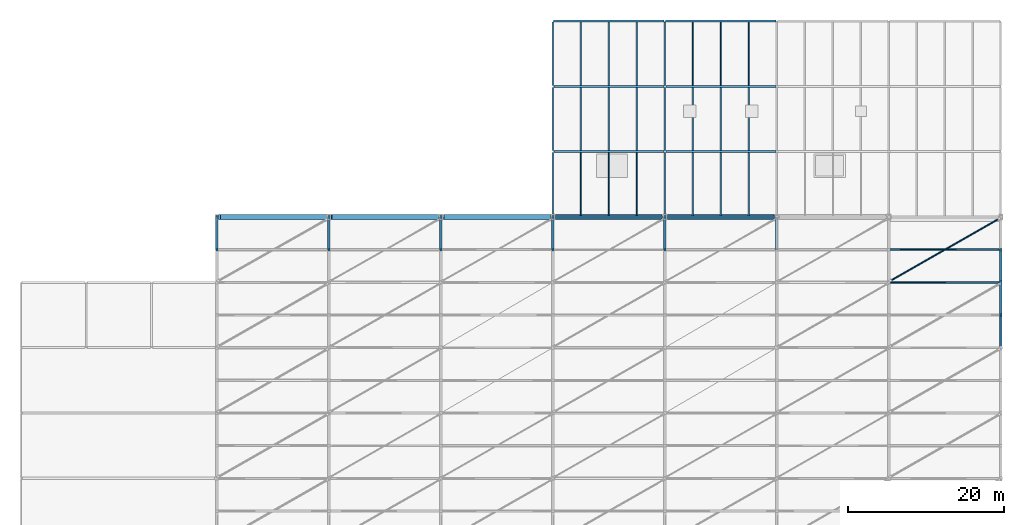
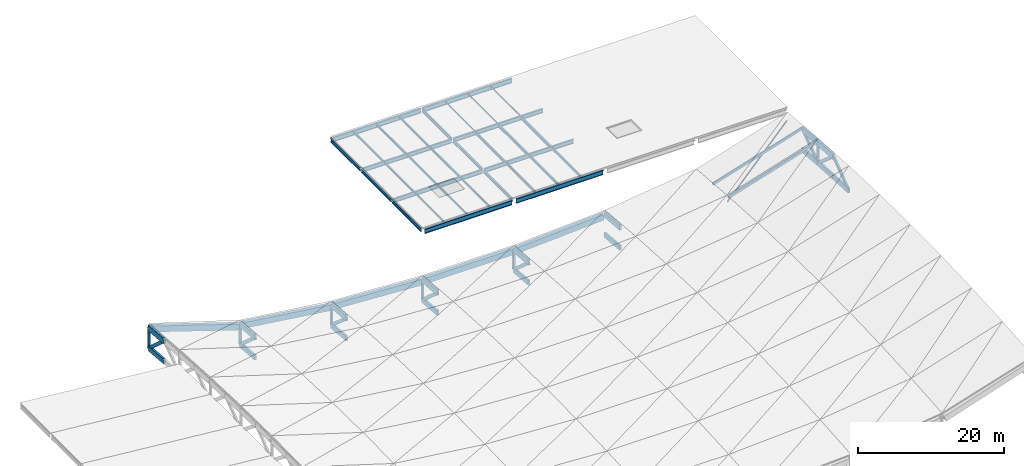
# One storey, part 10 of 22: 54 beams, 17 members.
"""IFC4 building model written with IfcOpenShell, lengths in metres."""

from ifc_helpers import new_model, si_unit, direction, frame, origin, origin_2d, place, context, subcontext, project, spatial, rectangle, hollow_circle, i_section, extrude, material, material_profile, profile_set, type_object, element, save


model = new_model("IFC4")

# Units and contexts
model_context = context("Model", 3, precision=1e-05, world=origin(), true_north=direction((0.0, 1.0)))
body_context = subcontext(model_context, "Body", "Model", "MODEL_VIEW")
ifc_project = project(units=[si_unit("LENGTHUNIT", "METRE"), si_unit("AREAUNIT", "SQUARE_METRE"), si_unit("VOLUMEUNIT", "CUBIC_METRE"), si_unit("PLANEANGLEUNIT", "RADIAN"), si_unit("MASSUNIT", "GRAM", prefix="KILO"), si_unit("THERMODYNAMICTEMPERATUREUNIT", "KELVIN")], contexts=[model_context])

# Site, building, storey
site_placement = place(None, origin())
site = spatial("IfcSite", under=ifc_project, at=site_placement, CompositionType="ELEMENT")
building_placement = place(site_placement, origin())
building = spatial("IfcBuilding", under=site, at=building_placement, Name="Nduvali Passage Aquatics Centre", CompositionType="ELEMENT")
storey_placement = place(building_placement, frame((0.0, 0.0, 21.60009765625)))
storey = spatial("IfcBuildingStorey", under=building, at=storey_placement, Name="RF", CompositionType="ELEMENT", Elevation=21.60009765625)

# Beams
ifc_material_1 = material(Name="Glulam GL32c", Category="wood")
ifc_material_profile_1 = material_profile(ifc_material_1, rectangle(XDim=0.320068359375, YDim=0.800048828125, at=origin_2d()), Name="GL32c 320x800")
ifc_profile_set_1 = profile_set([ifc_material_profile_1], Name="Glulam GL32c")
beam_type_1 = type_object("IfcBeamType", Name="STR-BM-GL32-BOT", PredefinedType="BEAM", material=ifc_profile_set_1)
for number, where, z_axis, x_axis, name in (
    (1, (25.199951171875, 88.199951171875, -4.524169921875), (0.0, 0.996548554241, -0.083011921073), (-1.0, 0.0, 0.0), "RF Pool Hall Roof Truss Bottom Chord R1 BC1-1709"),
    (2, (39.60009765625, 88.199951171875, -8.972900390625), (0.0, 0.996548554241, -0.083011921073), (-1.0, 0.0, 0.0), "RF Pool Hall Roof Truss Bottom Chord R2 BC1-1741"),
    (3, (54.0, 88.199951171875, -10.80859375), (0.0, 0.996548554241, -0.083011921073), (-1.0, 0.0, 0.0), "RF Pool Hall Roof Truss Bottom Chord R3 BC1-1773"),
    (4, (68.39990234375, 88.199951171875, -11.599609375), (0.0, 0.996543760423, -0.083069450238), (-1.0, 0.0, 0.0), "RF Pool Hall Roof Truss Bottom Chord R4 BC1-1805"),
    (5, (82.800048828125, 88.199951171875, -11.599609375), (0.0, 0.996543760423, -0.083069450238), (-1.0, 0.0, 0.0), "RF Pool Hall Roof Truss Bottom Chord R5 BC1-1837"),
    (6, (97.199951171875, 88.199951171875, -10.80859375), (0.0, 0.996548554241, -0.083011921073), (-1.0, 0.0, 0.0), "RF Pool Hall Roof Truss Bottom Chord R6 BC1-1869"),
):
    element("IfcBeam", number, at=place(storey_placement, frame(where, z_axis=z_axis, x_axis=x_axis)), inside=storey, type_object=beam_type_1, Name=name, PredefinedType="BEAM", context=body_context, shape_type="SweptSolid", body=[
        extrude(rectangle(XDim=0.320068359375, YDim=0.800048828125, at=origin_2d()), origin(), (0.0, 0.0, 1.0), 4.214599609375),
    ])
for number, where, z_axis, x_axis, name in (
    (7, (126.0, 75.60009765625, -3.674072265625), (0.0, 0.998233110761, -0.059419328339), (-1.0, 0.0, 0.0), "RF Pool Hall Roof Truss Bottom Chord R8 BC1-1927"),
    (8, (126.0, 79.800048828125, -3.924072265625), (0.0, 0.998233110761, -0.059419328339), (-1.0, 0.0, 0.0), "RF Pool Hall Roof Truss Bottom Chord R8 BC1-1929"),
):
    element("IfcBeam", number, at=place(storey_placement, frame(where, z_axis=z_axis, x_axis=x_axis)), inside=storey, type_object=beam_type_1, Name=name, PredefinedType="BEAM", context=body_context, shape_type="SweptSolid", body=[
        extrude(rectangle(XDim=0.320068359375, YDim=0.800048828125, at=origin_2d()), origin(), (0.0, 0.0, 1.0), 4.207275390625),
    ])
beam_1_placement = place(storey_placement, frame((126.0, 84.0, -4.174072265625), z_axis=(0.0, 0.996543760423, -0.083069450238), x_axis=(-1.0, 0.0, 0.0)))
element("IfcBeam", 9, at=beam_1_placement, inside=storey, type_object=beam_type_1, Name="RF Pool Hall Roof Truss Bottom Chord R8 BC1-1931", PredefinedType="BEAM", context=body_context, shape_type="SweptSolid", body=[
    extrude(rectangle(XDim=0.320068359375, YDim=0.800048828125, at=origin_2d()), origin(), (0.0, 0.0, 1.0), 4.214599609375),
])
ifc_material_profile_2 = material_profile(ifc_material_1, rectangle(XDim=0.320068359375, YDim=0.9599609375, at=origin_2d()), Name="GL32c 320x960")
ifc_profile_set_2 = profile_set([ifc_material_profile_2], Name="Glulam GL32c")
beam_type_2 = type_object("IfcBeamType", Name="STR-BM-GL32-END", PredefinedType="BEAM", material=ifc_profile_set_2)
beam_2_placement = place(storey_placement, frame((25.199951171875, 88.199951171875, -1.1240234375), z_axis=(0.0, 0.996543760423, -0.083069450238), x_axis=(-1.0, 0.0, 0.0)))
element("IfcBeam", 10, at=beam_2_placement, inside=storey, type_object=beam_type_2, Name="RF Pool Hall Roof Truss Top Chord R1 TC0-1708", PredefinedType="BEAM", context=body_context, shape_type="SweptSolid", body=[
    extrude(rectangle(XDim=0.320068359375, YDim=0.9599609375, at=origin_2d()), origin(), (0.0, 0.0, 1.0), 4.214599609375),
])
beam_3_placement = place(storey_placement, frame((126.0, 79.800048828125, -0.524169921875), z_axis=(0.0, 0.998233110761, -0.059419328339), x_axis=(-1.0, 0.0, 0.0)))
element("IfcBeam", 11, at=beam_3_placement, inside=storey, type_object=beam_type_2, Name="RF Pool Hall Roof Truss Top Chord R8 TC0-1928", PredefinedType="BEAM", context=body_context, shape_type="SweptSolid", body=[
    extrude(rectangle(XDim=0.320068359375, YDim=0.9599609375, at=origin_2d()), origin(), (0.0, 0.0, 1.0), 4.207275390625),
])
beam_4_placement = place(storey_placement, frame((126.0, 84.0, -0.774169921875), z_axis=(0.0, 0.996548554241, -0.083011921073), x_axis=(-1.0, 0.0, 0.0)))
element("IfcBeam", 12, at=beam_4_placement, inside=storey, type_object=beam_type_2, Name="RF Pool Hall Roof Truss Top Chord R8 TC0-1930", PredefinedType="BEAM", context=body_context, shape_type="SweptSolid", body=[
    extrude(rectangle(XDim=0.320068359375, YDim=0.9599609375, at=origin_2d()), origin(), (0.0, 0.0, 1.0), 4.214599609375),
])
ifc_material_profile_3 = material_profile(ifc_material_1, rectangle(XDim=0.320068359375, YDim=0.89990234375, at=origin_2d()), Name="GL32c 320x900")
ifc_profile_set_3 = profile_set([ifc_material_profile_3], Name="Glulam GL32c")
beam_type_3 = type_object("IfcBeamType", Name="STR-BM-GL32-TOP", PredefinedType="BEAM", material=ifc_profile_set_3)
for number, where, z_axis, x_axis, name in (
    (13, (39.60009765625, 88.199951171875, -5.57275390625), (0.0, 0.996543760423, -0.083069450238), (-1.0, 0.0, 0.0), "RF Pool Hall Roof Truss Top Chord R2 TC1-1740"),
    (14, (54.0, 88.199951171875, -7.408447265625), (0.0, 0.996543760423, -0.083069450238), (-1.0, 0.0, 0.0), "RF Pool Hall Roof Truss Top Chord R3 TC1-1772"),
    (15, (68.39990234375, 88.199951171875, -8.19970703125), (0.0, 0.996548554241, -0.083011921073), (-1.0, 0.0, 0.0), "RF Pool Hall Roof Truss Top Chord R4 TC1-1804"),
    (16, (82.800048828125, 88.199951171875, -8.19970703125), (0.0, 0.996548554241, -0.083011921073), (-1.0, 0.0, 0.0), "RF Pool Hall Roof Truss Top Chord R5 TC1-1836"),
    (17, (97.199951171875, 88.199951171875, -7.408447265625), (0.0, 0.996543760423, -0.083069450238), (-1.0, 0.0, 0.0), "RF Pool Hall Roof Truss Top Chord R6 TC1-1868"),
):
    element("IfcBeam", number, at=place(storey_placement, frame(where, z_axis=z_axis, x_axis=x_axis)), inside=storey, type_object=beam_type_3, Name=name, PredefinedType="BEAM", context=body_context, shape_type="SweptSolid", body=[
        extrude(rectangle(XDim=0.320068359375, YDim=0.89990234375, at=origin_2d()), origin(), (0.0, 0.0, 1.0), 4.214599609375),
    ])
ifc_material_2 = material(Name="Concrete C40/50", Category="concrete")
ifc_material_profile_4 = material_profile(ifc_material_2, rectangle(XDim=0.60009765625, YDim=0.949951171875, at=origin_2d()), Name="RC 600x950")
ifc_profile_set_4 = profile_set([ifc_material_profile_4], Name="Concrete C40/50")
beam_type_4 = type_object("IfcBeamType", Name="STR-BM-RC6095-EXT", PredefinedType="BEAM", material=ifc_profile_set_4)
beam_5_placement = place(storey_placement, frame((25.550048828125, 92.39990234375, -1.6669921875), z_axis=(0.950496768294, 0.0, -0.310734442027), x_axis=(0.0, 1.0, 0.0)))
element("IfcBeam", 18, at=beam_5_placement, inside=storey, type_object=beam_type_4, Name="RF Pool Hall Perimeter Ring Beam B1E-1671", PredefinedType="BEAM", context=body_context, shape_type="SweptSolid", body=[
    extrude(rectangle(XDim=0.60009765625, YDim=0.949951171875, at=origin_2d()), origin(), (0.0, 0.0, 1.0), 14.41357421875),
])
beam_6_placement = place(storey_placement, frame((39.949951171875, 92.39990234375, -6.145751953125), z_axis=(0.991142078777, 0.0, -0.132805796852), x_axis=(0.0, 1.0, 0.0)))
element("IfcBeam", 19, at=beam_6_placement, inside=storey, type_object=beam_type_4, Name="RF Pool Hall Perimeter Ring Beam B1E-1672", PredefinedType="BEAM", context=body_context, shape_type="SweptSolid", body=[
    extrude(rectangle(XDim=0.60009765625, YDim=0.949951171875, at=origin_2d()), origin(), (0.0, 0.0, 1.0), 13.822509765625),
])
beam_7_placement = place(storey_placement, frame((54.35009765625, 92.39990234375, -7.9814453125), z_axis=(0.998336260799, 0.0, -0.057660301546), x_axis=(0.0, 1.0, 0.0)))
element("IfcBeam", 20, at=beam_7_placement, inside=storey, type_object=beam_type_4, Name="RF Pool Hall Perimeter Ring Beam B1E-1673", PredefinedType="BEAM", context=body_context, shape_type="SweptSolid", body=[
    extrude(rectangle(XDim=0.60009765625, YDim=0.949951171875, at=origin_2d()), origin(), (0.0, 0.0, 1.0), 13.722900390625),
])
beam_8_placement = place(storey_placement, frame((68.75, 92.39990234375, -8.772705078125), z_axis=(1.0, 0.0, 0.0), x_axis=(0.0, 1.0, 0.0)))
element("IfcBeam", 21, at=beam_8_placement, inside=storey, type_object=beam_type_4, Name="RF Pool Hall Perimeter Ring Beam B1E-1674", PredefinedType="BEAM", context=body_context, shape_type="SweptSolid", body=[
    extrude(rectangle(XDim=0.60009765625, YDim=0.949951171875, at=origin_2d()), origin(), (0.0, 0.0, 1.0), 13.699951171875),
])
beam_9_placement = place(storey_placement, frame((83.14990234375, 92.39990234375, -8.772705078125), z_axis=(0.998336319947, 0.0, 0.057659277442), x_axis=(0.0, 1.0, 0.0)))
element("IfcBeam", 22, at=beam_9_placement, inside=storey, type_object=beam_type_4, Name="RF Pool Hall Perimeter Ring Beam B1E-1675", PredefinedType="BEAM", context=body_context, shape_type="SweptSolid", body=[
    extrude(rectangle(XDim=0.60009765625, YDim=0.949951171875, at=origin_2d()), origin(), (0.0, 0.0, 1.0), 13.72314453125),
])
ifc_material_3 = material(Name="Steel S355", Category="steel")
ifc_material_profile_5 = material_profile(ifc_material_3, i_section(OverallWidth=0.210693359375, OverallDepth=0.53955078125, WebThickness=0.01171875, FlangeThickness=0.018798828125, FilletRadius=0.0126953125, at=origin_2d()), Name="UKB 533x210x109")
ifc_profile_set_5 = profile_set([ifc_material_profile_5], Name="Steel S355")
beam_type_5 = type_object("IfcBeamType", Name="STR-BM-UKB533", PredefinedType="BEAM", material=ifc_profile_set_5)
beam_10_placement = place(storey_placement, frame((68.39990234375, 92.72509765625, -0.493896484375), z_axis=(0.0, 1.0, 0.0), x_axis=(-1.0, 0.0, 0.0)))
element("IfcBeam", 23, at=beam_10_placement, inside=storey, type_object=beam_type_5, Name="RF Primary Y-Girder B6-1456", PredefinedType="BEAM", context=body_context, shape_type="SweptSolid", body=[
    extrude(i_section(OverallWidth=0.210693359375, OverallDepth=0.53955078125, WebThickness=0.01171875, FlangeThickness=0.018798828125, FilletRadius=0.0126953125, at=origin_2d()), origin(), (0.0, 0.0, 1.0), 7.94482421875),
])
beam_11_placement = place(storey_placement, frame((68.39990234375, 100.929931640625, -0.493896484375), z_axis=(0.0, 1.0, 0.0), x_axis=(-1.0, 0.0, 0.0)))
element("IfcBeam", 24, at=beam_11_placement, inside=storey, type_object=beam_type_5, Name="RF Primary Y-Girder B6-1457", PredefinedType="BEAM", context=body_context, shape_type="SweptSolid", body=[
    extrude(i_section(OverallWidth=0.210693359375, OverallDepth=0.53955078125, WebThickness=0.01171875, FlangeThickness=0.018798828125, FilletRadius=0.0126953125, at=origin_2d()), origin(), (0.0, 0.0, 1.0), 8.14013671875),
])
beam_12_placement = place(storey_placement, frame((68.39990234375, 109.330078125, -0.493896484375), z_axis=(0.0, 1.0, 0.0), x_axis=(-1.0, 0.0, 0.0)))
element("IfcBeam", 25, at=beam_12_placement, inside=storey, type_object=beam_type_5, Name="RF Primary Y-Girder B6-1458", PredefinedType="BEAM", context=body_context, shape_type="SweptSolid", body=[
    extrude(i_section(OverallWidth=0.210693359375, OverallDepth=0.53955078125, WebThickness=0.01171875, FlangeThickness=0.018798828125, FilletRadius=0.0126953125, at=origin_2d()), origin(), (0.0, 0.0, 1.0), 8.155029296875),
])
beam_13_placement = place(storey_placement, frame((82.800048828125, 92.72509765625, -0.493896484375), z_axis=(0.0, 1.0, 0.0), x_axis=(-1.0, 0.0, 0.0)))
element("IfcBeam", 26, at=beam_13_placement, inside=storey, type_object=beam_type_5, Name="RF Primary Y-Girder B6-1459", PredefinedType="BEAM", context=body_context, shape_type="SweptSolid", body=[
    extrude(i_section(OverallWidth=0.210693359375, OverallDepth=0.53955078125, WebThickness=0.01171875, FlangeThickness=0.018798828125, FilletRadius=0.0126953125, at=origin_2d()), origin(), (0.0, 0.0, 1.0), 7.94482421875),
])
beam_14_placement = place(storey_placement, frame((82.800048828125, 100.929931640625, -0.493896484375), z_axis=(0.0, 1.0, 0.0), x_axis=(-1.0, 0.0, 0.0)))
element("IfcBeam", 27, at=beam_14_placement, inside=storey, type_object=beam_type_5, Name="RF Primary Y-Girder B6-1460", PredefinedType="BEAM", context=body_context, shape_type="SweptSolid", body=[
    extrude(i_section(OverallWidth=0.210693359375, OverallDepth=0.53955078125, WebThickness=0.01171875, FlangeThickness=0.018798828125, FilletRadius=0.0126953125, at=origin_2d()), origin(), (0.0, 0.0, 1.0), 8.14013671875),
])
beam_15_placement = place(storey_placement, frame((82.800048828125, 109.330078125, -0.493896484375), z_axis=(0.0, 1.0, 0.0), x_axis=(-1.0, 0.0, 0.0)))
element("IfcBeam", 28, at=beam_15_placement, inside=storey, type_object=beam_type_5, Name="RF Primary Y-Girder B6-1461", PredefinedType="BEAM", context=body_context, shape_type="SweptSolid", body=[
    extrude(i_section(OverallWidth=0.210693359375, OverallDepth=0.53955078125, WebThickness=0.01171875, FlangeThickness=0.018798828125, FilletRadius=0.0126953125, at=origin_2d()), origin(), (0.0, 0.0, 1.0), 8.155029296875),
])
ifc_material_profile_6 = material_profile(ifc_material_3, i_section(OverallWidth=0.253662109375, OverallDepth=0.68359375, WebThickness=0.012451171875, FlangeThickness=0.01904296875, FilletRadius=0.01513671875, at=origin_2d()), Name="UKB 686x254x140")
ifc_profile_set_6 = profile_set([ifc_material_profile_6], Name="Steel S355")
beam_type_6 = type_object("IfcBeamType", Name="STR-BM-UKB686", PredefinedType="BEAM", material=ifc_profile_set_6)
beam_16_placement = place(storey_placement, frame((68.530029296875, 100.800048828125, -0.56591796875), z_axis=(1.0, 0.0, 0.0), x_axis=(0.0, 1.0, 0.0)))
element("IfcBeam", 29, at=beam_16_placement, inside=storey, type_object=beam_type_6, Name="RF Primary X-Girder B4-1444", PredefinedType="BEAM", context=body_context, shape_type="SweptSolid", body=[
    extrude(i_section(OverallWidth=0.253662109375, OverallDepth=0.68359375, WebThickness=0.012451171875, FlangeThickness=0.01904296875, FilletRadius=0.01513671875, at=origin_2d()), origin(), (0.0, 0.0, 1.0), 14.139892578125),
])
beam_17_placement = place(storey_placement, frame((82.929931640625, 100.800048828125, -0.56591796875), z_axis=(1.0, 0.0, 0.0), x_axis=(0.0, 1.0, 0.0)))
element("IfcBeam", 30, at=beam_17_placement, inside=storey, type_object=beam_type_6, Name="RF Primary X-Girder B4-1445", PredefinedType="BEAM", context=body_context, shape_type="SweptSolid", body=[
    extrude(i_section(OverallWidth=0.253662109375, OverallDepth=0.68359375, WebThickness=0.012451171875, FlangeThickness=0.01904296875, FilletRadius=0.01513671875, at=origin_2d()), origin(), (0.0, 0.0, 1.0), 14.14013671875),
])
beam_18_placement = place(storey_placement, frame((68.530029296875, 109.199951171875, -0.56591796875), z_axis=(1.0, 0.0, 0.0), x_axis=(0.0, 1.0, 0.0)))
element("IfcBeam", 31, at=beam_18_placement, inside=storey, type_object=beam_type_6, Name="RF Primary X-Girder B4-1448", PredefinedType="BEAM", context=body_context, shape_type="SweptSolid", body=[
    extrude(i_section(OverallWidth=0.253662109375, OverallDepth=0.68359375, WebThickness=0.012451171875, FlangeThickness=0.01904296875, FilletRadius=0.01513671875, at=origin_2d()), origin(), (0.0, 0.0, 1.0), 14.139892578125),
])
beam_19_placement = place(storey_placement, frame((82.929931640625, 109.199951171875, -0.56591796875), z_axis=(1.0, 0.0, 0.0), x_axis=(0.0, 1.0, 0.0)))
element("IfcBeam", 32, at=beam_19_placement, inside=storey, type_object=beam_type_6, Name="RF Primary X-Girder B4-1449", PredefinedType="BEAM", context=body_context, shape_type="SweptSolid", body=[
    extrude(i_section(OverallWidth=0.253662109375, OverallDepth=0.68359375, WebThickness=0.012451171875, FlangeThickness=0.01904296875, FilletRadius=0.01513671875, at=origin_2d()), origin(), (0.0, 0.0, 1.0), 14.14013671875),
])
ifc_material_profile_7 = material_profile(ifc_material_3, i_section(OverallWidth=0.2666015625, OverallDepth=0.76220703125, WebThickness=0.014404296875, FlangeThickness=0.021484375, FilletRadius=0.0166015625, at=origin_2d()), Name="UKB 762x267x173")
ifc_profile_set_7 = profile_set([ifc_material_profile_7], Name="Steel S355")
beam_type_7 = type_object("IfcBeamType", Name="STR-BM-UKB762-EXT", PredefinedType="BEAM", material=ifc_profile_set_7)
for number, where, z_axis, x_axis, name in (
    (33, (68.72509765625, 92.39990234375, -0.605224609375), (1.0, 0.0, 0.0), (0.0, 1.0, 0.0), "RF Primary X-Girder B4CE-1440"),
    (34, (83.125, 92.39990234375, -0.605224609375), (1.0, 0.0, 0.0), (0.0, 1.0, 0.0), "RF Primary X-Girder B4CE-1441"),
):
    element("IfcBeam", number, at=place(storey_placement, frame(where, z_axis=z_axis, x_axis=x_axis)), inside=storey, type_object=beam_type_7, Name=name, PredefinedType="BEAM", context=body_context, shape_type="SweptSolid", body=[
        extrude(i_section(OverallWidth=0.2666015625, OverallDepth=0.76220703125, WebThickness=0.014404296875, FlangeThickness=0.021484375, FilletRadius=0.0166015625, at=origin_2d()), origin(), (0.0, 0.0, 1.0), 13.75),
    ])
beam_20_placement = place(storey_placement, frame((68.52001953125, 117.60009765625, -0.605224609375), z_axis=(1.0, 0.0, 0.0), x_axis=(0.0, 1.0, 0.0)))
element("IfcBeam", 35, at=beam_20_placement, inside=storey, type_object=beam_type_7, Name="RF Primary X-Girder B4CE-1452", PredefinedType="BEAM", context=body_context, shape_type="SweptSolid", body=[
    extrude(i_section(OverallWidth=0.2666015625, OverallDepth=0.76220703125, WebThickness=0.014404296875, FlangeThickness=0.021484375, FilletRadius=0.0166015625, at=origin_2d()), origin(), (0.0, 0.0, 1.0), 14.159912109375),
])
beam_21_placement = place(storey_placement, frame((82.919921875, 117.60009765625, -0.605224609375), z_axis=(1.0, 0.0, 0.0), x_axis=(0.0, 1.0, 0.0)))
element("IfcBeam", 36, at=beam_21_placement, inside=storey, type_object=beam_type_7, Name="RF Primary X-Girder B4CE-1453", PredefinedType="BEAM", context=body_context, shape_type="SweptSolid", body=[
    extrude(i_section(OverallWidth=0.2666015625, OverallDepth=0.76220703125, WebThickness=0.014404296875, FlangeThickness=0.021484375, FilletRadius=0.0166015625, at=origin_2d()), origin(), (0.0, 0.0, 1.0), 14.16015625),
])
ifc_material_profile_8 = material_profile(ifc_material_3, i_section(OverallWidth=0.10009765625, OverallDepth=0.199951171875, WebThickness=0.005615234375, FlangeThickness=0.008544921875, FilletRadius=0.011962890625, at=origin_2d()), Name="IPE 200")
ifc_profile_set_8 = profile_set([ifc_material_profile_8], Name="Steel S355")
beam_type_8 = type_object("IfcBeamType", Name="STR-JST-IPE200", PredefinedType="JOIST", material=ifc_profile_set_8)
for number, where, z_axis, x_axis, name in (
    (37, (86.39990234375, 109.326904296875, -0.32421875), (0.0, 1.0, 0.0), (-1.0, 0.0, 0.0), "RF Secondary Joist J9A-1498"),
    (38, (90.0, 109.326904296875, -0.32421875), (0.0, 1.0, 0.0), (-1.0, 0.0, 0.0), "RF Secondary Joist J9A-1499"),
    (39, (93.60009765625, 109.326904296875, -0.32421875), (0.0, 1.0, 0.0), (-1.0, 0.0, 0.0), "RF Secondary Joist J9A-1500"),
):
    element("IfcBeam", number, at=place(storey_placement, frame(where, z_axis=z_axis, x_axis=x_axis)), inside=storey, type_object=beam_type_8, Name=name, PredefinedType="JOIST", context=body_context, shape_type="SweptSolid", body=[
        extrude(i_section(OverallWidth=0.10009765625, OverallDepth=0.199951171875, WebThickness=0.005615234375, FlangeThickness=0.008544921875, FilletRadius=0.011962890625, at=origin_2d()), origin(), (0.0, 0.0, 1.0), 8.139892578125),
    ])
ifc_material_profile_9 = material_profile(ifc_material_3, i_section(OverallWidth=0.169921875, OverallDepth=0.360107421875, WebThickness=0.008056640625, FlangeThickness=0.0126953125, FilletRadius=0.01806640625, at=origin_2d()), Name="IPE 360")
ifc_profile_set_9 = profile_set([ifc_material_profile_9], Name="Steel S355")
beam_type_9 = type_object("IfcBeamType", Name="STR-JST-IPE360", PredefinedType="JOIST", material=ifc_profile_set_9)
for number, where, z_axis, x_axis, name in (
    (40, (72.0, 100.9267578125, -0.404052734375), (0.0, 1.0, 0.0), (-1.0, 0.0, 0.0), "RF Secondary Joist J6-1483"),
    (41, (75.60009765625, 100.9267578125, -0.404052734375), (0.0, 1.0, 0.0), (-1.0, 0.0, 0.0), "RF Secondary Joist J6-1484"),
    (42, (79.199951171875, 100.9267578125, -0.404052734375), (0.0, 1.0, 0.0), (-1.0, 0.0, 0.0), "RF Secondary Joist J6-1485"),
):
    element("IfcBeam", number, at=place(storey_placement, frame(where, z_axis=z_axis, x_axis=x_axis)), inside=storey, type_object=beam_type_9, Name=name, PredefinedType="JOIST", context=body_context, shape_type="SweptSolid", body=[
        extrude(i_section(OverallWidth=0.169921875, OverallDepth=0.360107421875, WebThickness=0.008056640625, FlangeThickness=0.0126953125, FilletRadius=0.01806640625, at=origin_2d()), origin(), (0.0, 0.0, 1.0), 8.146484375),
    ])
ifc_material_profile_10 = material_profile(ifc_material_3, i_section(OverallWidth=0.199951171875, OverallDepth=0.5, WebThickness=0.01025390625, FlangeThickness=0.01611328125, FilletRadius=0.02099609375, at=origin_2d()), Name="IPE 500")
ifc_profile_set_10 = profile_set([ifc_material_profile_10], Name="Steel S355")
beam_type_10 = type_object("IfcBeamType", Name="STR-JST-IPE500", PredefinedType="JOIST", material=ifc_profile_set_10)
for number, where, z_axis, x_axis, name in (
    (43, (86.39990234375, 100.9267578125, -0.47412109375), (0.0, 1.0, 0.0), (-1.0, 0.0, 0.0), "RF Secondary Joist J5A-1486"),
    (44, (90.0, 100.9267578125, -0.47412109375), (0.0, 1.0, 0.0), (-1.0, 0.0, 0.0), "RF Secondary Joist J5A-1487"),
    (45, (93.60009765625, 100.9267578125, -0.47412109375), (0.0, 1.0, 0.0), (-1.0, 0.0, 0.0), "RF Secondary Joist J5A-1488"),
):
    element("IfcBeam", number, at=place(storey_placement, frame(where, z_axis=z_axis, x_axis=x_axis)), inside=storey, type_object=beam_type_10, Name=name, PredefinedType="JOIST", context=body_context, shape_type="SweptSolid", body=[
        extrude(i_section(OverallWidth=0.199951171875, OverallDepth=0.5, WebThickness=0.01025390625, FlangeThickness=0.01611328125, FilletRadius=0.02099609375, at=origin_2d()), origin(), (0.0, 0.0, 1.0), 8.146484375),
    ])
ifc_material_profile_11 = material_profile(ifc_material_3, i_section(OverallWidth=0.172119140625, OverallDepth=0.35791015625, WebThickness=0.008056640625, FlangeThickness=0.012939453125, FilletRadius=0.01025390625, at=origin_2d()), Name="UKB 356x171x57")
ifc_profile_set_11 = profile_set([ifc_material_profile_11], Name="Steel S355")
beam_type_11 = type_object("IfcBeamType", Name="STR-JST-UKB356", PredefinedType="JOIST", material=ifc_profile_set_11)
for number, where, z_axis, x_axis, name in (
    (46, (72.0, 109.326904296875, -0.403076171875), (0.0, 1.0, 0.0), (-1.0, 0.0, 0.0), "RF Secondary Joist J2-1495"),
    (47, (75.60009765625, 109.326904296875, -0.403076171875), (0.0, 1.0, 0.0), (-1.0, 0.0, 0.0), "RF Secondary Joist J2-1496"),
    (48, (79.199951171875, 109.326904296875, -0.403076171875), (0.0, 1.0, 0.0), (-1.0, 0.0, 0.0), "RF Secondary Joist J2-1497"),
):
    element("IfcBeam", number, at=place(storey_placement, frame(where, z_axis=z_axis, x_axis=x_axis)), inside=storey, type_object=beam_type_11, Name=name, PredefinedType="JOIST", context=body_context, shape_type="SweptSolid", body=[
        extrude(i_section(OverallWidth=0.172119140625, OverallDepth=0.35791015625, WebThickness=0.008056640625, FlangeThickness=0.012939453125, FilletRadius=0.01025390625, at=origin_2d()), origin(), (0.0, 0.0, 1.0), 8.139892578125),
    ])
ifc_material_profile_12 = material_profile(ifc_material_3, i_section(OverallWidth=0.1259765625, OverallDepth=0.353515625, WebThickness=0.006591796875, FlangeThickness=0.0107421875, FilletRadius=0.01025390625, at=origin_2d()), Name="UKB 356x127x39")
ifc_profile_set_12 = profile_set([ifc_material_profile_12], Name="Steel S355")
beam_type_12 = type_object("IfcBeamType", Name="STR-JST-UKB356L", PredefinedType="JOIST", material=ifc_profile_set_12)
for number, where, z_axis, x_axis, name in (
    (49, (72.0, 92.533203125, -0.40087890625), (0.0, 1.0, 0.0), (-1.0, 0.0, 0.0), "RF Secondary Joist J2A-1471"),
    (50, (75.60009765625, 92.533203125, -0.40087890625), (0.0, 1.0, 0.0), (-1.0, 0.0, 0.0), "RF Secondary Joist J2A-1472"),
    (51, (79.199951171875, 92.533203125, -0.40087890625), (0.0, 1.0, 0.0), (-1.0, 0.0, 0.0), "RF Secondary Joist J2A-1473"),
):
    element("IfcBeam", number, at=place(storey_placement, frame(where, z_axis=z_axis, x_axis=x_axis)), inside=storey, type_object=beam_type_12, Name=name, PredefinedType="JOIST", context=body_context, shape_type="SweptSolid", body=[
        extrude(i_section(OverallWidth=0.1259765625, OverallDepth=0.353515625, WebThickness=0.006591796875, FlangeThickness=0.0107421875, FilletRadius=0.01025390625, at=origin_2d()), origin(), (0.0, 0.0, 1.0), 8.139892578125),
    ])
ifc_material_profile_13 = material_profile(ifc_material_3, i_section(OverallWidth=0.15283203125, OverallDepth=0.45458984375, WebThickness=0.008056640625, FlangeThickness=0.01318359375, FilletRadius=0.01025390625, at=origin_2d()), Name="UKB 457x152x60")
ifc_profile_set_13 = profile_set([ifc_material_profile_13], Name="Steel S355")
beam_type_13 = type_object("IfcBeamType", Name="STR-JST-UKB457L", PredefinedType="JOIST", material=ifc_profile_set_13)
for number, where, z_axis, x_axis, name in (
    (52, (86.39990234375, 92.533203125, -0.451416015625), (0.0, 1.0, 0.0), (-1.0, 0.0, 0.0), "RF Secondary Joist J1A-1474"),
    (53, (90.0, 92.533203125, -0.451416015625), (0.0, 1.0, 0.0), (-1.0, 0.0, 0.0), "RF Secondary Joist J1A-1475"),
    (54, (93.60009765625, 92.533203125, -0.451416015625), (0.0, 1.0, 0.0), (-1.0, 0.0, 0.0), "RF Secondary Joist J1A-1476"),
):
    element("IfcBeam", number, at=place(storey_placement, frame(where, z_axis=z_axis, x_axis=x_axis)), inside=storey, type_object=beam_type_13, Name=name, PredefinedType="JOIST", context=body_context, shape_type="SweptSolid", body=[
        extrude(i_section(OverallWidth=0.15283203125, OverallDepth=0.45458984375, WebThickness=0.008056640625, FlangeThickness=0.01318359375, FilletRadius=0.01025390625, at=origin_2d()), origin(), (0.0, 0.0, 1.0), 8.139892578125),
    ])

# Members
ifc_material_profile_14 = material_profile(ifc_material_3, hollow_circle(Radius=0.109619140625, WallThickness=0.008056640625, at=origin_2d()), Name="CHS 219.1x8.0")
ifc_profile_set_14 = profile_set([ifc_material_profile_14], Name="Steel S355")
member_type_1 = type_object("IfcMemberType", Name="STR-MEM-CHS219", PredefinedType="BRACE", material=ifc_profile_set_14)
member_1_placement = place(storey_placement, frame((111.800048828125, 84.199951171875, -5.80078125), z_axis=(0.845342892406, 0.483053081375, 0.228155900282), x_axis=(-0.496138938357, 0.868243142124, 0.0)))
element("IfcMember", 55, at=member_1_placement, inside=storey, type_object=member_type_1, Name="Pool Hall Roof Wind Brace B7-P8A", PredefinedType="BRACE", context=body_context, shape_type="SweptSolid", body=[
    extrude(hollow_circle(Radius=0.109619140625, WallThickness=0.008056640625, at=origin_2d()), origin(), (0.0, 0.0, 1.0), 16.561279296875),
])
ifc_material_4 = material(Name="Glulam GL28h", Category="wood")
ifc_material_profile_15 = material_profile(ifc_material_4, rectangle(XDim=0.260009765625, YDim=0.52001953125, at=origin_2d()), Name="GL28h 260x520")
ifc_profile_set_15 = profile_set([ifc_material_profile_15], Name="Glulam GL28h")
member_type_2 = type_object("IfcMemberType", Name="STR-MEM-GL-DIAG", PredefinedType="CHORD", material=ifc_profile_set_15)
for number, where, z_axis, x_axis, name in (
    (56, (25.199951171875, 88.199951171875, -1.1240234375), (0.0, 0.745933814853, -0.666020077669), (-1.0, 0.0, 0.0), "Pool Hall Roof Truss Web Diagonal R1-16"),
    (57, (39.60009765625, 88.199951171875, -5.57275390625), (0.0, 0.745933814853, -0.666020077669), (-1.0, 0.0, 0.0), "Pool Hall Roof Truss Web Diagonal R2-16"),
    (58, (54.0, 88.199951171875, -7.408447265625), (0.0, 0.745933814853, -0.666020077669), (-1.0, 0.0, 0.0), "Pool Hall Roof Truss Web Diagonal R3-16"),
    (59, (68.39990234375, 88.199951171875, -8.19970703125), (0.0, 0.745933814853, -0.666020077669), (-1.0, 0.0, 0.0), "Pool Hall Roof Truss Web Diagonal R4-16"),
    (60, (82.800048828125, 88.199951171875, -8.19970703125), (0.0, 0.745933814853, -0.666020077669), (-1.0, 0.0, 0.0), "Pool Hall Roof Truss Web Diagonal R5-16"),
):
    element("IfcMember", number, at=place(storey_placement, frame(where, z_axis=z_axis, x_axis=x_axis)), inside=storey, type_object=member_type_2, Name=name, PredefinedType="CHORD", context=body_context, shape_type="SweptSolid", body=[
        extrude(rectangle(XDim=0.260009765625, YDim=0.52001953125, at=origin_2d()), origin(), (0.0, 0.0, 1.0), 5.63037109375),
    ])
member_2_placement = place(storey_placement, frame((126.0, 75.60009765625, -3.674072265625), z_axis=(0.0, 0.800005580426, 0.599992559359), x_axis=(-1.0, 0.0, 0.0)))
element("IfcMember", 61, at=member_2_placement, inside=storey, type_object=member_type_2, Name="Pool Hall Roof Truss Web Diagonal R8-13", PredefinedType="CHORD", context=body_context, shape_type="SweptSolid", body=[
    extrude(rectangle(XDim=0.260009765625, YDim=0.52001953125, at=origin_2d()), origin(), (0.0, 0.0, 1.0), 5.25),
])
member_3_placement = place(storey_placement, frame((126.0, 79.800048828125, -0.524169921875), z_axis=(0.0, 0.754803851974, -0.655950566007), x_axis=(-1.0, 0.0, 0.0)))
element("IfcMember", 62, at=member_3_placement, inside=storey, type_object=member_type_2, Name="Pool Hall Roof Truss Web Diagonal R8-14", PredefinedType="CHORD", context=body_context, shape_type="SweptSolid", body=[
    extrude(rectangle(XDim=0.260009765625, YDim=0.52001953125, at=origin_2d()), origin(), (0.0, 0.0, 1.0), 5.564208984375),
])
member_4_placement = place(storey_placement, frame((126.0, 84.0, -4.174072265625), z_axis=(0.0, 0.809144712888, 0.587609422665), x_axis=(-1.0, 0.0, 0.0)))
element("IfcMember", 63, at=member_4_placement, inside=storey, type_object=member_type_2, Name="Pool Hall Roof Truss Web Diagonal R8-15", PredefinedType="CHORD", context=body_context, shape_type="SweptSolid", body=[
    extrude(rectangle(XDim=0.260009765625, YDim=0.52001953125, at=origin_2d()), origin(), (0.0, 0.0, 1.0), 5.190673828125),
])
ifc_material_profile_16 = material_profile(ifc_material_4, rectangle(XDim=0.219970703125, YDim=0.47998046875, at=origin_2d()), Name="GL28h 220x480")
ifc_profile_set_16 = profile_set([ifc_material_profile_16], Name="Glulam GL28h")
member_type_3 = type_object("IfcMemberType", Name="STR-MEM-GL-PUR3", PredefinedType="PURLIN", material=ifc_profile_set_16)
member_5_placement = place(storey_placement, frame((111.760009765625, 84.0, -4.9560546875), z_axis=(0.954882134092, 0.0, 0.296985033278), x_axis=(0.0, 1.0, 0.0)))
element("IfcMember", 64, at=member_5_placement, inside=storey, type_object=member_type_3, Name="Pool Hall Saddle Roof Purlin B7-14", PredefinedType="PURLIN", context=body_context, shape_type="SweptSolid", body=[
    extrude(rectangle(XDim=0.219970703125, YDim=0.47998046875, at=origin_2d()), origin(), (0.0, 0.0, 1.0), 14.745361328125),
])
ifc_material_profile_17 = material_profile(ifc_material_4, rectangle(XDim=0.199951171875, YDim=0.43994140625, at=origin_2d()), Name="GL28h 200x440")
ifc_profile_set_17 = profile_set([ifc_material_profile_17], Name="Glulam GL28h")
member_type_4 = type_object("IfcMemberType", Name="STR-MEM-GL-PUR4", PredefinedType="PURLIN", material=ifc_profile_set_17)
member_6_placement = place(storey_placement, frame((111.760009765625, 88.199951171875, -5.285888671875), z_axis=(0.954886829358, 0.0, 0.296969936388), x_axis=(0.0, 1.0, 0.0)))
element("IfcMember", 65, at=member_6_placement, inside=storey, type_object=member_type_4, Name="Pool Hall Saddle Roof Purlin B7-15", PredefinedType="PURLIN", context=body_context, shape_type="SweptSolid", body=[
    extrude(rectangle(XDim=0.199951171875, YDim=0.43994140625, at=origin_2d()), origin(), (0.0, 0.0, 1.0), 14.745361328125),
])
ifc_material_profile_18 = material_profile(ifc_material_4, rectangle(XDim=0.260009765625, YDim=0.419921875, at=origin_2d()), Name="GL28h 260x420")
ifc_profile_set_18 = profile_set([ifc_material_profile_18], Name="Glulam GL28h")
member_type_5 = type_object("IfcMemberType", Name="STR-MEM-GL-VERT", PredefinedType="STRUT", material=ifc_profile_set_18)
for number, where, z_axis, x_axis, name in (
    (66, (25.199951171875, 92.39990234375, -4.8740234375), (0.0, 0.0, 1.0), (1.0, 0.0, 0.0), "Pool Hall Roof Truss Vertical Strut R1-9"),
    (67, (39.60009765625, 92.39990234375, -9.32275390625), (0.0, 0.0, 1.0), (1.0, 0.0, 0.0), "Pool Hall Roof Truss Vertical Strut R2-9"),
    (68, (54.0, 92.39990234375, -11.158447265625), (0.0, 0.0, 1.0), (1.0, 0.0, 0.0), "Pool Hall Roof Truss Vertical Strut R3-9"),
):
    element("IfcMember", number, at=place(storey_placement, frame(where, z_axis=z_axis, x_axis=x_axis)), inside=storey, type_object=member_type_5, Name=name, PredefinedType="STRUT", context=body_context, shape_type="SweptSolid", body=[
        extrude(rectangle(XDim=0.260009765625, YDim=0.419921875, at=origin_2d()), origin(), (0.0, 0.0, 1.0), 3.39990234375),
    ])
for number, where, z_axis, x_axis, name in (
    (69, (68.39990234375, 92.39990234375, -11.94970703125), (0.0, 0.0, 1.0), (1.0, 0.0, 0.0), "Pool Hall Roof Truss Vertical Strut R4-9"),
    (70, (82.800048828125, 92.39990234375, -11.94970703125), (0.0, 0.0, 1.0), (1.0, 0.0, 0.0), "Pool Hall Roof Truss Vertical Strut R5-9"),
):
    element("IfcMember", number, at=place(storey_placement, frame(where, z_axis=z_axis, x_axis=x_axis)), inside=storey, type_object=member_type_5, Name=name, PredefinedType="STRUT", context=body_context, shape_type="SweptSolid", body=[
        extrude(rectangle(XDim=0.260009765625, YDim=0.419921875, at=origin_2d()), origin(), (0.0, 0.0, 1.0), 3.400146484375),
    ])
member_7_placement = place(storey_placement, frame((126.0, 84.0, -4.174072265625), z_axis=(0.0, 0.0, 1.0), x_axis=(1.0, 0.0, 0.0)))
element("IfcMember", 71, at=member_7_placement, inside=storey, type_object=member_type_5, Name="Pool Hall Roof Truss Vertical Strut R8-8", PredefinedType="STRUT", context=body_context, shape_type="SweptSolid", body=[
    extrude(rectangle(XDim=0.260009765625, YDim=0.419921875, at=origin_2d()), origin(), (0.0, 0.0, 1.0), 3.39990234375),
])

save(model, "model.ifc")
